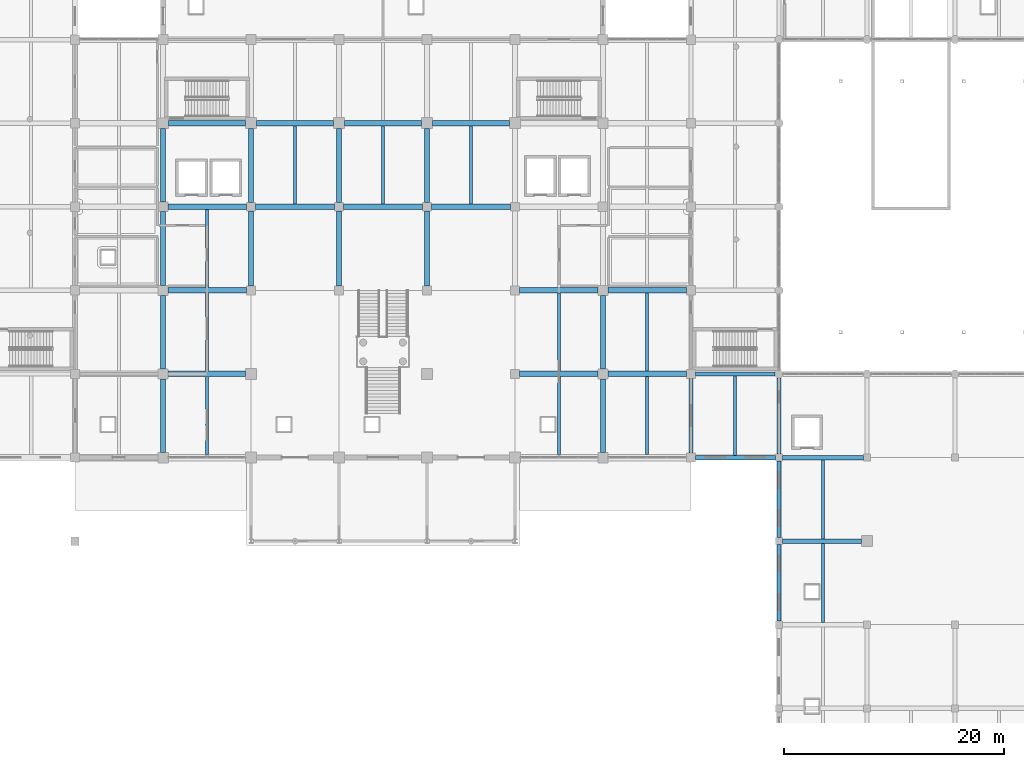
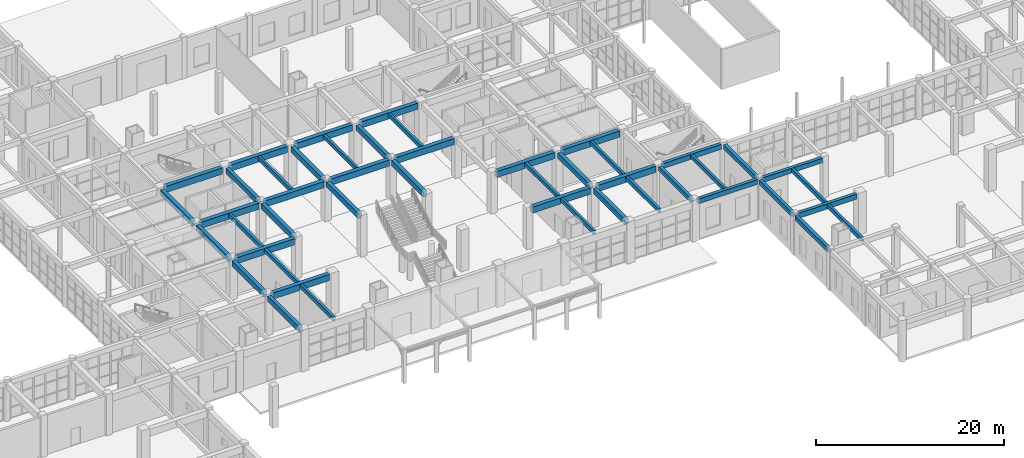
# One storey, part 32 of 95: 47 beams.
"""IFC4 building model written with IfcOpenShell, lengths in metres."""

from ifc_helpers import new_model, si_unit, direction, frame, origin, origin_2d, place, context, subcontext, project, spatial, rectangle, extrude, material, material_profile, profile_set, type_object, element, save


model = new_model("IFC4")

# Units and contexts
model_context = context("Model", 3, precision=1e-05, world=origin(), true_north=direction((0.0, 1.0)))
body_context = subcontext(model_context, "Body", "Model", "MODEL_VIEW")
ifc_project = project(units=[si_unit("LENGTHUNIT", "METRE"), si_unit("AREAUNIT", "SQUARE_METRE"), si_unit("VOLUMEUNIT", "CUBIC_METRE"), si_unit("PLANEANGLEUNIT", "RADIAN"), si_unit("MASSUNIT", "GRAM", prefix="KILO")], contexts=[model_context])

# Site, building, storey
site_placement = place(None, origin())
site = spatial("IfcSite", under=ifc_project, at=site_placement, CompositionType="ELEMENT")
building_placement = place(site_placement, origin())
building = spatial("IfcBuilding", under=site, at=building_placement, Name="Zantavel Square City Hall", CompositionType="ELEMENT")
storey_placement = place(building_placement, origin())
storey = spatial("IfcBuildingStorey", under=building, at=storey_placement, Name="L01", CompositionType="ELEMENT", Elevation=0.0)

# Beams
ifc_material = material(Name="Concrete C35/45", Category="concrete")
ifc_material_profile_1 = material_profile(ifc_material, rectangle(XDim=0.3798828125, YDim=0.580078125, at=origin_2d()), Name="RC 380x580")
ifc_profile_set_1 = profile_set([ifc_material_profile_1], Name="Concrete C35/45")
beam_type_1 = type_object("IfcBeamType", Name="Annex Secondary Beam RC 380x580 C35/45", PredefinedType="BEAM", material=ifc_profile_set_1)
beam_1_placement = place(storey_placement, frame((112.0, 30.824951171875, 4.8701171875), z_axis=(0.0, 1.0, 0.0), x_axis=(-1.0, 0.0, 0.0)))
element("IfcBeam", 1, at=beam_1_placement, inside=storey, type_object=beam_type_1, Name="L01 Beam BMY-L01-1120-0304", PredefinedType="BEAM", context=body_context, shape_type="SweptSolid", body=[
    extrude(rectangle(XDim=0.3798828125, YDim=0.580078125, at=origin_2d()), origin(), (0.0, 0.0, 1.0), 6.75),
])
beam_2_placement = place(storey_placement, frame((120.0, 15.52490234375, 4.8701171875), z_axis=(0.0, 1.0, 0.0), x_axis=(-1.0, 0.0, 0.0)))
element("IfcBeam", 2, at=beam_2_placement, inside=storey, type_object=beam_type_1, Name="L01 Beam BMY-L01-1200-0152", PredefinedType="BEAM", context=body_context, shape_type="SweptSolid", body=[
    extrude(rectangle(XDim=0.3798828125, YDim=0.580078125, at=origin_2d()), origin(), (0.0, 0.0, 1.0), 6.9501953125),
])
beam_3_placement = place(storey_placement, frame((120.0, 23.125, 4.8701171875), z_axis=(0.0, 1.0, 0.0), x_axis=(-1.0, 0.0, 0.0)))
element("IfcBeam", 3, at=beam_3_placement, inside=storey, type_object=beam_type_1, Name="L01 Beam BMY-L01-1200-0228", PredefinedType="BEAM", context=body_context, shape_type="SweptSolid", body=[
    extrude(rectangle(XDim=0.3798828125, YDim=0.580078125, at=origin_2d()), origin(), (0.0, 0.0, 1.0), 6.949951171875),
])
beam_4_placement = place(storey_placement, frame((120.0, 30.72509765625, 4.8701171875), z_axis=(0.0, 1.0, 0.0), x_axis=(-1.0, 0.0, 0.0)))
element("IfcBeam", 4, at=beam_4_placement, inside=storey, type_object=beam_type_1, Name="L01 Beam BMY-L01-1200-0304", PredefinedType="BEAM", context=body_context, shape_type="SweptSolid", body=[
    extrude(rectangle(XDim=0.3798828125, YDim=0.580078125, at=origin_2d()), origin(), (0.0, 0.0, 1.0), 6.89990234375),
])
ifc_material_profile_2 = material_profile(ifc_material, rectangle(XDim=0.300048828125, YDim=0.5, at=origin_2d()), Name="RC 300x500")
ifc_profile_set_2 = profile_set([ifc_material_profile_2], Name="Concrete C35/45")
beam_type_2 = type_object("IfcBeamType", Name="Floor Joist RC 300x500 C35/45", PredefinedType="JOIST", material=ifc_profile_set_2)
beam_5_placement = place(storey_placement, frame((68.0, 30.699951171875, 4.909912109375), z_axis=(0.0, 1.0, 0.0), x_axis=(-1.0, 0.0, 0.0)))
element("IfcBeam", 5, at=beam_5_placement, inside=storey, type_object=beam_type_2, Name="L01 Floor Joist JST-L01-0680-0304", PredefinedType="JOIST", context=body_context, shape_type="SweptSolid", body=[
    extrude(rectangle(XDim=0.300048828125, YDim=0.5, at=origin_2d()), origin(), (0.0, 0.0, 1.0), 7.050048828125),
])
beam_6_placement = place(storey_placement, frame((68.0, 38.25, 4.909912109375), z_axis=(0.0, 1.0, 0.0), x_axis=(-1.0, 0.0, 0.0)))
element("IfcBeam", 6, at=beam_6_placement, inside=storey, type_object=beam_type_2, Name="L01 Floor Joist JST-L01-0680-0380", PredefinedType="JOIST", context=body_context, shape_type="SweptSolid", body=[
    extrude(rectangle(XDim=0.300048828125, YDim=0.5, at=origin_2d()), origin(), (0.0, 0.0, 1.0), 7.10009765625),
])
beam_7_placement = place(storey_placement, frame((68.0, 45.85009765625, 4.909912109375), z_axis=(0.0, 1.0, 0.0), x_axis=(-1.0, 0.0, 0.0)))
element("IfcBeam", 7, at=beam_7_placement, inside=storey, type_object=beam_type_2, Name="L01 Floor Joist JST-L01-0680-0456", PredefinedType="JOIST", context=body_context, shape_type="SweptSolid", body=[
    extrude(rectangle(XDim=0.300048828125, YDim=0.5, at=origin_2d()), origin(), (0.0, 0.0, 1.0), 7.099853515625),
])
for number, where, z_axis, x_axis, name in (
    (8, (76.0, 53.449951171875, 4.909912109375), (0.0, 1.0, 0.0), (-1.0, 0.0, 0.0), "L01 Floor Joist JST-L01-0760-0532"),
    (9, (84.0, 53.449951171875, 4.909912109375), (0.0, 1.0, 0.0), (-1.0, 0.0, 0.0), "L01 Floor Joist JST-L01-0840-0532"),
    (10, (92.0, 53.449951171875, 4.909912109375), (0.0, 1.0, 0.0), (-1.0, 0.0, 0.0), "L01 Floor Joist JST-L01-0920-0532"),
):
    element("IfcBeam", number, at=place(storey_placement, frame(where, z_axis=z_axis, x_axis=x_axis)), inside=storey, type_object=beam_type_2, Name=name, PredefinedType="JOIST", context=body_context, shape_type="SweptSolid", body=[
        extrude(rectangle(XDim=0.300048828125, YDim=0.5, at=origin_2d()), origin(), (0.0, 0.0, 1.0), 7.10009765625),
    ])
beam_8_placement = place(storey_placement, frame((100.0, 30.699951171875, 4.909912109375), z_axis=(0.0, 1.0, 0.0), x_axis=(-1.0, 0.0, 0.0)))
element("IfcBeam", 11, at=beam_8_placement, inside=storey, type_object=beam_type_2, Name="L01 Floor Joist JST-L01-1000-0304", PredefinedType="JOIST", context=body_context, shape_type="SweptSolid", body=[
    extrude(rectangle(XDim=0.300048828125, YDim=0.5, at=origin_2d()), origin(), (0.0, 0.0, 1.0), 7.050048828125),
])
beam_9_placement = place(storey_placement, frame((100.0, 38.25, 4.909912109375), z_axis=(0.0, 1.0, 0.0), x_axis=(-1.0, 0.0, 0.0)))
element("IfcBeam", 12, at=beam_9_placement, inside=storey, type_object=beam_type_2, Name="L01 Floor Joist JST-L01-1000-0380", PredefinedType="JOIST", context=body_context, shape_type="SweptSolid", body=[
    extrude(rectangle(XDim=0.300048828125, YDim=0.5, at=origin_2d()), origin(), (0.0, 0.0, 1.0), 7.10009765625),
])
beam_10_placement = place(storey_placement, frame((108.0, 30.699951171875, 4.909912109375), z_axis=(0.0, 1.0, 0.0), x_axis=(-1.0, 0.0, 0.0)))
element("IfcBeam", 13, at=beam_10_placement, inside=storey, type_object=beam_type_2, Name="L01 Floor Joist JST-L01-1080-0304", PredefinedType="JOIST", context=body_context, shape_type="SweptSolid", body=[
    extrude(rectangle(XDim=0.300048828125, YDim=0.5, at=origin_2d()), origin(), (0.0, 0.0, 1.0), 7.050048828125),
])
beam_11_placement = place(storey_placement, frame((108.0, 38.25, 4.909912109375), z_axis=(0.0, 1.0, 0.0), x_axis=(-1.0, 0.0, 0.0)))
element("IfcBeam", 14, at=beam_11_placement, inside=storey, type_object=beam_type_2, Name="L01 Floor Joist JST-L01-1080-0380", PredefinedType="JOIST", context=body_context, shape_type="SweptSolid", body=[
    extrude(rectangle(XDim=0.300048828125, YDim=0.5, at=origin_2d()), origin(), (0.0, 0.0, 1.0), 7.10009765625),
])
beam_12_placement = place(storey_placement, frame((116.0, 30.60009765625, 4.909912109375), z_axis=(0.0, 1.0, 0.0), x_axis=(-1.0, 0.0, 0.0)))
element("IfcBeam", 15, at=beam_12_placement, inside=storey, type_object=beam_type_2, Name="L01 Floor Joist JST-L01-1160-0304", PredefinedType="JOIST", context=body_context, shape_type="SweptSolid", body=[
    extrude(rectangle(XDim=0.300048828125, YDim=0.5, at=origin_2d()), origin(), (0.0, 0.0, 1.0), 7.199951171875),
])
beam_13_placement = place(storey_placement, frame((124.0, 15.39990234375, 4.909912109375), z_axis=(0.0, 1.0, 0.0), x_axis=(-1.0, 0.0, 0.0)))
element("IfcBeam", 16, at=beam_13_placement, inside=storey, type_object=beam_type_2, Name="L01 Floor Joist JST-L01-1240-0152", PredefinedType="JOIST", context=body_context, shape_type="SweptSolid", body=[
    extrude(rectangle(XDim=0.300048828125, YDim=0.5, at=origin_2d()), origin(), (0.0, 0.0, 1.0), 7.2001953125),
])
beam_14_placement = place(storey_placement, frame((124.0, 23.0, 4.909912109375), z_axis=(0.0, 1.0, 0.0), x_axis=(-1.0, 0.0, 0.0)))
element("IfcBeam", 17, at=beam_14_placement, inside=storey, type_object=beam_type_2, Name="L01 Floor Joist JST-L01-1240-0228", PredefinedType="JOIST", context=body_context, shape_type="SweptSolid", body=[
    extrude(rectangle(XDim=0.300048828125, YDim=0.5, at=origin_2d()), origin(), (0.0, 0.0, 1.0), 7.199951171875),
])
ifc_material_profile_3 = material_profile(ifc_material, rectangle(XDim=0.39990234375, YDim=0.64990234375, at=origin_2d()), Name="RC 400x650")
ifc_profile_set_3 = profile_set([ifc_material_profile_3], Name="Concrete C35/45")
beam_type_3 = type_object("IfcBeamType", Name="Frame Beam RC 400x650 C35/45", PredefinedType="BEAM", material=ifc_profile_set_3)
beam_15_placement = place(storey_placement, frame((112.425048828125, 38.0, 4.8349609375), z_axis=(1.0, 0.0, 0.0), x_axis=(0.0, 1.0, 0.0)))
element("IfcBeam", 18, at=beam_15_placement, inside=storey, type_object=beam_type_3, Name="L01 Girder BMX-L01-1120-0380", PredefinedType="BEAM", context=body_context, shape_type="SweptSolid", body=[
    extrude(rectangle(XDim=0.39990234375, YDim=0.64990234375, at=origin_2d()), origin(), (0.0, 0.0, 1.0), 7.199951171875),
])
beam_16_placement = place(storey_placement, frame((120.324951171875, 22.800048828125, 4.8349609375), z_axis=(1.0, 0.0, 0.0), x_axis=(0.0, 1.0, 0.0)))
element("IfcBeam", 19, at=beam_16_placement, inside=storey, type_object=beam_type_3, Name="L01 Girder BMX-L01-1200-0228", PredefinedType="BEAM", context=body_context, shape_type="SweptSolid", body=[
    extrude(rectangle(XDim=0.39990234375, YDim=0.64990234375, at=origin_2d()), origin(), (0.0, 0.0, 1.0), 7.175048828125),
])
ifc_material_profile_4 = material_profile(ifc_material, rectangle(XDim=0.39990234375, YDim=0.60009765625, at=origin_2d()), Name="RC 400x600")
ifc_profile_set_4 = profile_set([ifc_material_profile_4], Name="Concrete C35/45")
beam_type_4 = type_object("IfcBeamType", Name="Perimeter Spandrel RC 400x600 C35/45", PredefinedType="SPANDREL", material=ifc_profile_set_4)
beam_17_placement = place(storey_placement, frame((112.425048828125, 30.39990234375, 4.860107421875), z_axis=(1.0, 0.0, 0.0), x_axis=(0.0, 1.0, 0.0)))
element("IfcBeam", 20, at=beam_17_placement, inside=storey, type_object=beam_type_4, Name="L01 Girder BMX-L01-1120-0304", PredefinedType="SPANDREL", context=body_context, shape_type="SweptSolid", body=[
    extrude(rectangle(XDim=0.39990234375, YDim=0.60009765625, at=origin_2d()), origin(), (0.0, 0.0, 1.0), 7.25),
])
beam_18_placement = place(storey_placement, frame((120.324951171875, 30.39990234375, 4.860107421875), z_axis=(1.0, 0.0, 0.0), x_axis=(0.0, 1.0, 0.0)))
element("IfcBeam", 21, at=beam_18_placement, inside=storey, type_object=beam_type_4, Name="L01 Girder BMX-L01-1200-0304", PredefinedType="SPANDREL", context=body_context, shape_type="SweptSolid", body=[
    extrude(rectangle(XDim=0.39990234375, YDim=0.60009765625, at=origin_2d()), origin(), (0.0, 0.0, 1.0), 7.35009765625),
])
ifc_material_profile_5 = material_profile(ifc_material, rectangle(XDim=0.449951171875, YDim=0.699951171875, at=origin_2d()), Name="RC 450x700")
ifc_profile_set_5 = profile_set([ifc_material_profile_5], Name="Concrete C35/45")
beam_type_5 = type_object("IfcBeamType", Name="Primary Girder RC 450x700 C35/45", PredefinedType="BEAM", material=ifc_profile_set_5)
beam_19_placement = place(storey_placement, frame((64.0, 30.875, 4.81005859375), z_axis=(0.0, 1.0, 0.0), x_axis=(-1.0, 0.0, 0.0)))
element("IfcBeam", 22, at=beam_19_placement, inside=storey, type_object=beam_type_5, Name="L01 Beam BMY-L01-0640-0304", PredefinedType="BEAM", context=body_context, shape_type="SweptSolid", body=[
    extrude(rectangle(XDim=0.449951171875, YDim=0.699951171875, at=origin_2d()), origin(), (0.0, 0.0, 1.0), 6.675048828125),
])
for number, where, z_axis, x_axis, name in (
    (23, (64.0, 38.449951171875, 4.81005859375), (0.0, 1.0, 0.0), (-1.0, 0.0, 0.0), "L01 Beam BMY-L01-0640-0380"),
    (24, (64.0, 46.050048828125, 4.81005859375), (0.0, 1.0, 0.0), (-1.0, 0.0, 0.0), "L01 Beam BMY-L01-0640-0456"),
):
    element("IfcBeam", number, at=place(storey_placement, frame(where, z_axis=z_axis, x_axis=x_axis)), inside=storey, type_object=beam_type_5, Name=name, PredefinedType="BEAM", context=body_context, shape_type="SweptSolid", body=[
        extrude(rectangle(XDim=0.449951171875, YDim=0.699951171875, at=origin_2d()), origin(), (0.0, 0.0, 1.0), 6.699951171875),
    ])
beam_20_placement = place(storey_placement, frame((64.0, 53.64990234375, 4.81005859375), z_axis=(0.0, 1.0, 0.0), x_axis=(-1.0, 0.0, 0.0)))
element("IfcBeam", 25, at=beam_20_placement, inside=storey, type_object=beam_type_5, Name="L01 Beam BMY-L01-0640-0532", PredefinedType="BEAM", context=body_context, shape_type="SweptSolid", body=[
    extrude(rectangle(XDim=0.449951171875, YDim=0.699951171875, at=origin_2d()), origin(), (0.0, 0.0, 1.0), 6.675048828125),
])
beam_21_placement = place(storey_placement, frame((72.0, 46.0, 4.81005859375), z_axis=(0.0, 1.0, 0.0), x_axis=(-1.0, 0.0, 0.0)))
element("IfcBeam", 26, at=beam_21_placement, inside=storey, type_object=beam_type_5, Name="L01 Beam BMY-L01-0720-0456", PredefinedType="BEAM", context=body_context, shape_type="SweptSolid", body=[
    extrude(rectangle(XDim=0.449951171875, YDim=0.699951171875, at=origin_2d()), origin(), (0.0, 0.0, 1.0), 6.800048828125),
])
beam_22_placement = place(storey_placement, frame((72.0, 53.60009765625, 4.81005859375), z_axis=(0.0, 1.0, 0.0), x_axis=(-1.0, 0.0, 0.0)))
element("IfcBeam", 27, at=beam_22_placement, inside=storey, type_object=beam_type_5, Name="L01 Beam BMY-L01-0720-0532", PredefinedType="BEAM", context=body_context, shape_type="SweptSolid", body=[
    extrude(rectangle(XDim=0.449951171875, YDim=0.699951171875, at=origin_2d()), origin(), (0.0, 0.0, 1.0), 6.699951171875),
])
beam_23_placement = place(storey_placement, frame((80.0, 46.0, 4.81005859375), z_axis=(0.0, 1.0, 0.0), x_axis=(-1.0, 0.0, 0.0)))
element("IfcBeam", 28, at=beam_23_placement, inside=storey, type_object=beam_type_5, Name="L01 Beam BMY-L01-0800-0456", PredefinedType="BEAM", context=body_context, shape_type="SweptSolid", body=[
    extrude(rectangle(XDim=0.449951171875, YDim=0.699951171875, at=origin_2d()), origin(), (0.0, 0.0, 1.0), 6.800048828125),
])
beam_24_placement = place(storey_placement, frame((80.0, 53.60009765625, 4.81005859375), z_axis=(0.0, 1.0, 0.0), x_axis=(-1.0, 0.0, 0.0)))
element("IfcBeam", 29, at=beam_24_placement, inside=storey, type_object=beam_type_5, Name="L01 Beam BMY-L01-0800-0532", PredefinedType="BEAM", context=body_context, shape_type="SweptSolid", body=[
    extrude(rectangle(XDim=0.449951171875, YDim=0.699951171875, at=origin_2d()), origin(), (0.0, 0.0, 1.0), 6.699951171875),
])
beam_25_placement = place(storey_placement, frame((88.0, 46.0, 4.81005859375), z_axis=(0.0, 1.0, 0.0), x_axis=(-1.0, 0.0, 0.0)))
element("IfcBeam", 30, at=beam_25_placement, inside=storey, type_object=beam_type_5, Name="L01 Beam BMY-L01-0880-0456", PredefinedType="BEAM", context=body_context, shape_type="SweptSolid", body=[
    extrude(rectangle(XDim=0.449951171875, YDim=0.699951171875, at=origin_2d()), origin(), (0.0, 0.0, 1.0), 6.800048828125),
])
beam_26_placement = place(storey_placement, frame((88.0, 53.60009765625, 4.81005859375), z_axis=(0.0, 1.0, 0.0), x_axis=(-1.0, 0.0, 0.0)))
element("IfcBeam", 31, at=beam_26_placement, inside=storey, type_object=beam_type_5, Name="L01 Beam BMY-L01-0880-0532", PredefinedType="BEAM", context=body_context, shape_type="SweptSolid", body=[
    extrude(rectangle(XDim=0.449951171875, YDim=0.699951171875, at=origin_2d()), origin(), (0.0, 0.0, 1.0), 6.699951171875),
])
beam_27_placement = place(storey_placement, frame((104.0, 30.875, 4.81005859375), z_axis=(0.0, 1.0, 0.0), x_axis=(-1.0, 0.0, 0.0)))
element("IfcBeam", 32, at=beam_27_placement, inside=storey, type_object=beam_type_5, Name="L01 Beam BMY-L01-1040-0304", PredefinedType="BEAM", context=body_context, shape_type="SweptSolid", body=[
    extrude(rectangle(XDim=0.449951171875, YDim=0.699951171875, at=origin_2d()), origin(), (0.0, 0.0, 1.0), 6.675048828125),
])
beam_28_placement = place(storey_placement, frame((104.0, 38.449951171875, 4.81005859375), z_axis=(0.0, 1.0, 0.0), x_axis=(-1.0, 0.0, 0.0)))
element("IfcBeam", 33, at=beam_28_placement, inside=storey, type_object=beam_type_5, Name="L01 Beam BMY-L01-1040-0380", PredefinedType="BEAM", context=body_context, shape_type="SweptSolid", body=[
    extrude(rectangle(XDim=0.449951171875, YDim=0.699951171875, at=origin_2d()), origin(), (0.0, 0.0, 1.0), 6.699951171875),
])
ifc_material_profile_6 = material_profile(ifc_material, rectangle(XDim=0.5, YDim=0.800048828125, at=origin_2d()), Name="RC 500x800")
ifc_profile_set_6 = profile_set([ifc_material_profile_6], Name="Concrete C35/45")
beam_type_6 = type_object("IfcBeamType", Name="Primary Girder RC 500x800 C35/45", PredefinedType="BEAM", material=ifc_profile_set_6)
beam_29_placement = place(storey_placement, frame((64.449951171875, 38.0, 4.760009765625), z_axis=(1.0, 0.0, 0.0), x_axis=(0.0, 1.0, 0.0)))
element("IfcBeam", 34, at=beam_29_placement, inside=storey, type_object=beam_type_6, Name="L01 Girder BMX-L01-0640-0380", PredefinedType="BEAM", context=body_context, shape_type="SweptSolid", body=[
    extrude(rectangle(XDim=0.5, YDim=0.800048828125, at=origin_2d()), origin(), (0.0, 0.0, 1.0), 7.050048828125),
])
for number, where, z_axis, x_axis, name in (
    (35, (64.449951171875, 45.60009765625, 4.760009765625), (1.0, 0.0, 0.0), (0.0, 1.0, 0.0), "L01 Girder BMX-L01-0640-0456"),
    (36, (64.449951171875, 53.199951171875, 4.760009765625), (1.0, 0.0, 0.0), (0.0, 1.0, 0.0), "L01 Girder BMX-L01-0640-0532"),
):
    element("IfcBeam", number, at=place(storey_placement, frame(where, z_axis=z_axis, x_axis=x_axis)), inside=storey, type_object=beam_type_6, Name=name, PredefinedType="BEAM", context=body_context, shape_type="SweptSolid", body=[
        extrude(rectangle(XDim=0.5, YDim=0.800048828125, at=origin_2d()), origin(), (0.0, 0.0, 1.0), 7.150146484375),
    ])
beam_30_placement = place(storey_placement, frame((64.47509765625, 60.800048828125, 4.760009765625), z_axis=(1.0, 0.0, 0.0), x_axis=(0.0, 1.0, 0.0)))
element("IfcBeam", 37, at=beam_30_placement, inside=storey, type_object=beam_type_6, Name="L01 Girder BMX-L01-0640-0608", PredefinedType="BEAM", context=body_context, shape_type="SweptSolid", body=[
    extrude(rectangle(XDim=0.5, YDim=0.800048828125, at=origin_2d()), origin(), (0.0, 0.0, 1.0), 7.02490234375),
])
beam_31_placement = place(storey_placement, frame((72.39990234375, 53.199951171875, 4.760009765625), z_axis=(1.0, 0.0, 0.0), x_axis=(0.0, 1.0, 0.0)))
element("IfcBeam", 38, at=beam_31_placement, inside=storey, type_object=beam_type_6, Name="L01 Girder BMX-L01-0720-0532", PredefinedType="BEAM", context=body_context, shape_type="SweptSolid", body=[
    extrude(rectangle(XDim=0.5, YDim=0.800048828125, at=origin_2d()), origin(), (0.0, 0.0, 1.0), 7.2001953125),
])
beam_32_placement = place(storey_placement, frame((72.5, 60.800048828125, 4.760009765625), z_axis=(1.0, 0.0, 0.0), x_axis=(0.0, 1.0, 0.0)))
element("IfcBeam", 39, at=beam_32_placement, inside=storey, type_object=beam_type_6, Name="L01 Girder BMX-L01-0720-0608", PredefinedType="BEAM", context=body_context, shape_type="SweptSolid", body=[
    extrude(rectangle(XDim=0.5, YDim=0.800048828125, at=origin_2d()), origin(), (0.0, 0.0, 1.0), 7.0),
])
beam_33_placement = place(storey_placement, frame((80.39990234375, 53.199951171875, 4.760009765625), z_axis=(1.0, 0.0, 0.0), x_axis=(0.0, 1.0, 0.0)))
element("IfcBeam", 40, at=beam_33_placement, inside=storey, type_object=beam_type_6, Name="L01 Girder BMX-L01-0800-0532", PredefinedType="BEAM", context=body_context, shape_type="SweptSolid", body=[
    extrude(rectangle(XDim=0.5, YDim=0.800048828125, at=origin_2d()), origin(), (0.0, 0.0, 1.0), 7.2001953125),
])
beam_34_placement = place(storey_placement, frame((80.5, 60.800048828125, 4.760009765625), z_axis=(1.0, 0.0, 0.0), x_axis=(0.0, 1.0, 0.0)))
element("IfcBeam", 41, at=beam_34_placement, inside=storey, type_object=beam_type_6, Name="L01 Girder BMX-L01-0800-0608", PredefinedType="BEAM", context=body_context, shape_type="SweptSolid", body=[
    extrude(rectangle(XDim=0.5, YDim=0.800048828125, at=origin_2d()), origin(), (0.0, 0.0, 1.0), 7.0),
])
beam_35_placement = place(storey_placement, frame((88.39990234375, 53.199951171875, 4.760009765625), z_axis=(1.0, 0.0, 0.0), x_axis=(0.0, 1.0, 0.0)))
element("IfcBeam", 42, at=beam_35_placement, inside=storey, type_object=beam_type_6, Name="L01 Girder BMX-L01-0880-0532", PredefinedType="BEAM", context=body_context, shape_type="SweptSolid", body=[
    extrude(rectangle(XDim=0.5, YDim=0.800048828125, at=origin_2d()), origin(), (0.0, 0.0, 1.0), 7.2001953125),
])
beam_36_placement = place(storey_placement, frame((88.5, 60.800048828125, 4.760009765625), z_axis=(1.0, 0.0, 0.0), x_axis=(0.0, 1.0, 0.0)))
element("IfcBeam", 43, at=beam_36_placement, inside=storey, type_object=beam_type_6, Name="L01 Girder BMX-L01-0880-0608", PredefinedType="BEAM", context=body_context, shape_type="SweptSolid", body=[
    extrude(rectangle(XDim=0.5, YDim=0.800048828125, at=origin_2d()), origin(), (0.0, 0.0, 1.0), 7.0),
])
for number, where, z_axis, x_axis, name in (
    (44, (96.39990234375, 38.0, 4.760009765625), (1.0, 0.0, 0.0), (0.0, 1.0, 0.0), "L01 Girder BMX-L01-0960-0380"),
    (45, (96.39990234375, 45.60009765625, 4.760009765625), (1.0, 0.0, 0.0), (0.0, 1.0, 0.0), "L01 Girder BMX-L01-0960-0456"),
):
    element("IfcBeam", number, at=place(storey_placement, frame(where, z_axis=z_axis, x_axis=x_axis)), inside=storey, type_object=beam_type_6, Name=name, PredefinedType="BEAM", context=body_context, shape_type="SweptSolid", body=[
        extrude(rectangle(XDim=0.5, YDim=0.800048828125, at=origin_2d()), origin(), (0.0, 0.0, 1.0), 7.150146484375),
    ])
for number, where, z_axis, x_axis, name in (
    (46, (104.449951171875, 38.0, 4.760009765625), (1.0, 0.0, 0.0), (0.0, 1.0, 0.0), "L01 Girder BMX-L01-1040-0380"),
    (47, (104.449951171875, 45.60009765625, 4.760009765625), (1.0, 0.0, 0.0), (0.0, 1.0, 0.0), "L01 Girder BMX-L01-1040-0456"),
):
    element("IfcBeam", number, at=place(storey_placement, frame(where, z_axis=z_axis, x_axis=x_axis)), inside=storey, type_object=beam_type_6, Name=name, PredefinedType="BEAM", context=body_context, shape_type="SweptSolid", body=[
        extrude(rectangle(XDim=0.5, YDim=0.800048828125, at=origin_2d()), origin(), (0.0, 0.0, 1.0), 7.125),
    ])

save(model, "model.ifc")
